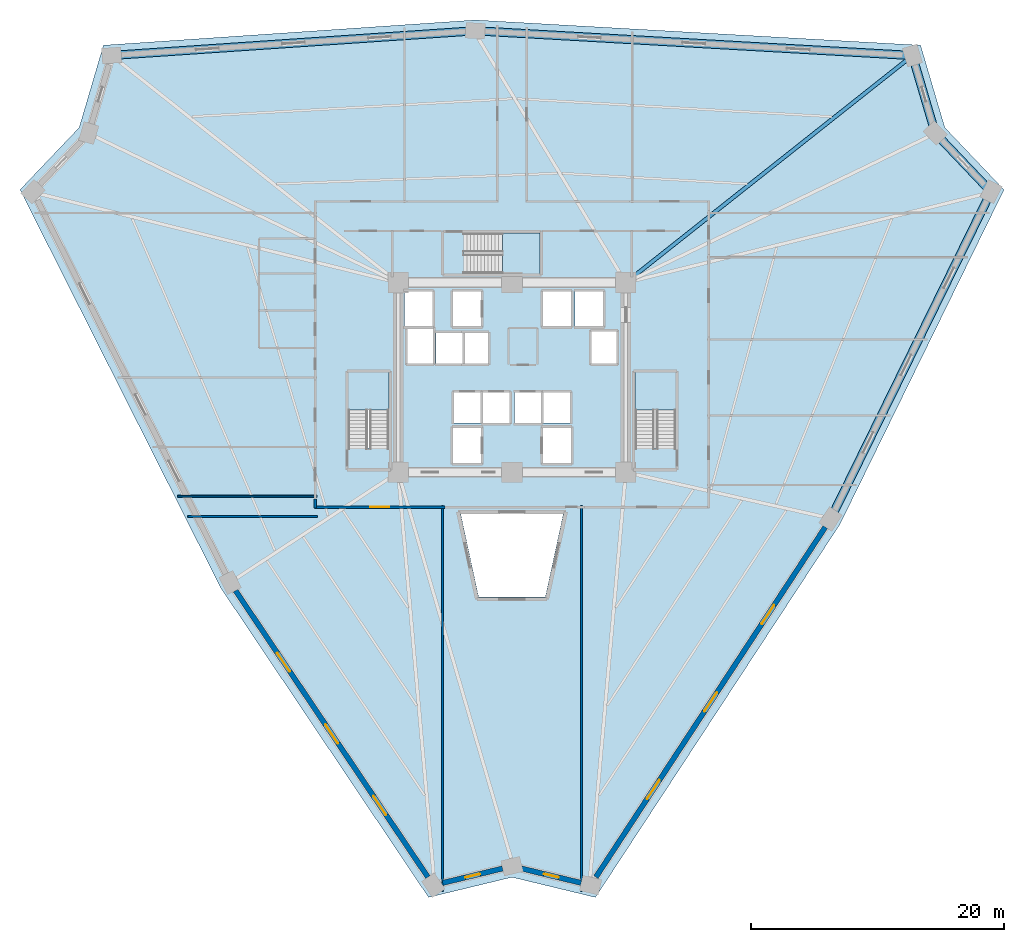
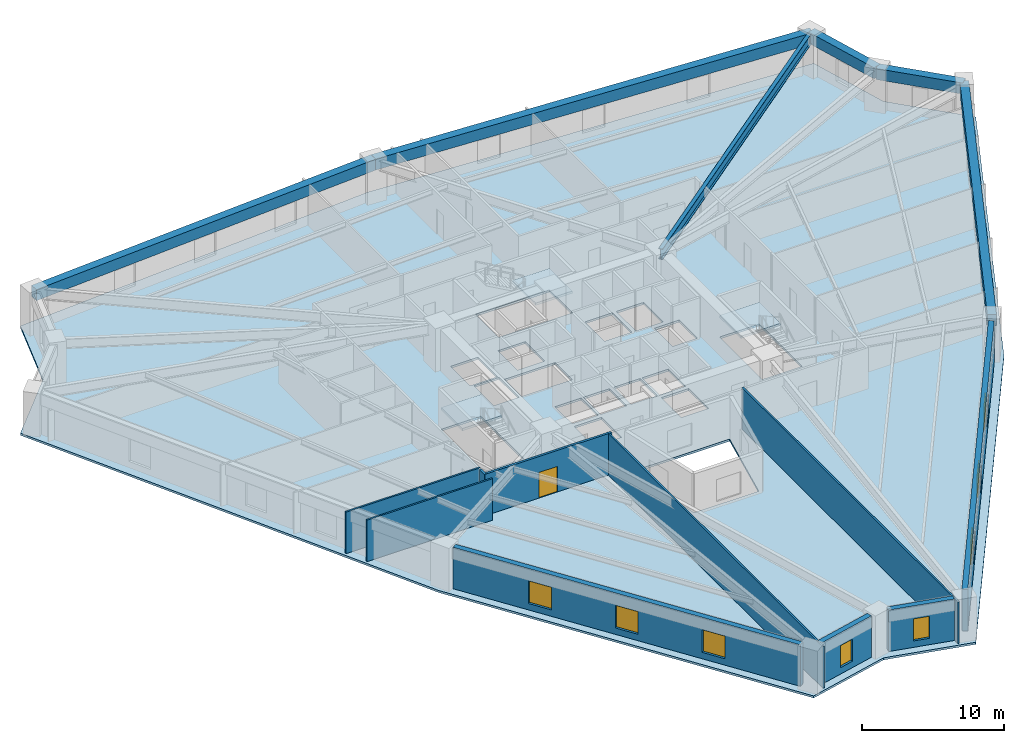
# One storey, part 2 of 8: 10 walls, 8 windows, 6 beams, 4 slabs, 1 door, 9 openings, 3 elements without a shape of their own.
"""IFC4 building model written with IfcOpenShell, lengths in metres."""

from ifc_helpers import new_model, si_unit, direction, frame, frame_2d, origin, origin_2d, place, context, subcontext, project, spatial, polyline, rectangle, i_section, outline, extrude, source, transform, mapped, material, layer, layer_set, material_profile, profile_set, type_object, element, fill, aggregate, save


model = new_model("IFC4")

# Units and contexts
model_context = context("Model", 3, precision=1e-05, world=origin(), true_north=direction((0.0, 1.0)))
body_context = subcontext(model_context, "Body", "Model", "MODEL_VIEW")
ifc_project = project(units=[si_unit("LENGTHUNIT", "METRE"), si_unit("AREAUNIT", "SQUARE_METRE"), si_unit("VOLUMEUNIT", "CUBIC_METRE"), si_unit("PLANEANGLEUNIT", "RADIAN"), si_unit("MASSUNIT", "GRAM", prefix="KILO")], contexts=[model_context])

# Site, building, storey
site_placement = place(None, origin())
site = spatial("IfcSite", under=ifc_project, at=site_placement, CompositionType="ELEMENT")
building_placement = place(site_placement, origin())
building = spatial("IfcBuilding", under=site, at=building_placement, Name="Liaohun Quay Tower", CompositionType="ELEMENT")
storey_placement = place(building_placement, frame((0.0, 0.0, 81.75)))
storey = spatial("IfcBuildingStorey", under=building, at=storey_placement, Name="L21", CompositionType="ELEMENT", Elevation=81.75)

# Beams
ifc_material_1 = material(Name="Precast concrete C55", Category="concrete")
ifc_material_profile_1 = material_profile(ifc_material_1, rectangle(XDim=0.64990234375, YDim=0.949951171875, at=origin_2d()), Name="RC650x950")
ifc_profile_set_1 = profile_set([ifc_material_profile_1], Name="Precast concrete C55")
beam_type_1 = type_object("IfcBeamType", Name="BM-SPD-Z1", PredefinedType="SPANDREL", material=ifc_profile_set_1)
shared_shape_1 = source(origin(), body_context, "Body", "SweptSolid", [
    extrude(rectangle(XDim=0.64990234375, YDim=0.949951171875, at=origin_2d()), origin(), (0.0, 0.0, 1.0), 28.8271484375),
])
beam_1_placement = place(storey_placement, frame((28.3359375, 79.467041015625, 3.094970703125), z_axis=(0.99770728934, 0.067676914809, 0.0), x_axis=(-0.067676914809, 0.99770728934, 0.0)))
element("IfcBeam", 1, at=beam_1_placement, inside=storey, type_object=beam_type_1, Name="L21 Precast Spandrel Beam PC05-PC06", PredefinedType="SPANDREL", context=body_context, shape_type="MappedRepresentation", body=[
    mapped(shared_shape_1, transform((0.0, 0.0, 0.0), x_axis=(1.0, 0.0, 0.0), y_axis=(0.0, 1.0, 0.0), z_axis=(0.0, 0.0, 1.0), scale=1.0)),
])
shared_shape_2 = source(origin(), body_context, "Body", "SweptSolid", [
    extrude(rectangle(XDim=0.64990234375, YDim=0.949951171875, at=origin_2d()), origin(), (0.0, 0.0, 1.0), 34.62451171875),
])
beam_2_placement = place(storey_placement, frame((57.096923828125, 81.41796875, 3.094970703125), z_axis=(0.998399780783, -0.056549781008, 0.0), x_axis=(0.056549781008, 0.998399780783, 0.0)))
element("IfcBeam", 2, at=beam_2_placement, inside=storey, type_object=beam_type_1, Name="L21 Precast Spandrel Beam PC06-PC07", PredefinedType="SPANDREL", context=body_context, shape_type="MappedRepresentation", body=[
    mapped(shared_shape_2, transform((0.0, 0.0, 0.0), x_axis=(1.0, 0.0, 0.0), y_axis=(0.0, 1.0, 0.0), z_axis=(0.0, 0.0, 1.0), scale=1.0)),
])
shared_shape_3 = source(origin(), body_context, "Body", "SweptSolid", [
    extrude(rectangle(XDim=0.64990234375, YDim=0.949951171875, at=origin_2d()), origin(), (0.0, 0.0, 1.0), 6.39501953125),
])
beam_3_placement = place(storey_placement, frame((91.666015625, 79.4599609375, 3.094970703125), z_axis=(0.282738807051, -0.959196938583, 0.0), x_axis=(0.959196938583, 0.282738807051, 0.0)))
element("IfcBeam", 3, at=beam_3_placement, inside=storey, type_object=beam_type_1, Name="L21 Precast Spandrel Beam PC07-PC08", PredefinedType="SPANDREL", context=body_context, shape_type="MappedRepresentation", body=[
    mapped(shared_shape_3, transform((0.0, 0.0, 0.0), x_axis=(1.0, 0.0, 0.0), y_axis=(0.0, 1.0, 0.0), z_axis=(0.0, 0.0, 1.0), scale=1.0)),
])
shared_shape_4 = source(origin(), body_context, "Body", "SweptSolid", [
    extrude(rectangle(XDim=0.64990234375, YDim=0.949951171875, at=origin_2d()), origin(), (0.0, 0.0, 1.0), 6.40185546875),
])
beam_4_placement = place(storey_placement, frame((93.47412109375, 73.325927734375, 3.094970703125), z_axis=(0.689307516097, -0.724468873211, 0.0), x_axis=(0.724468873211, 0.689307516097, 0.0)))
element("IfcBeam", 4, at=beam_4_placement, inside=storey, type_object=beam_type_1, Name="L21 Precast Spandrel Beam PC08-PC09", PredefinedType="SPANDREL", context=body_context, shape_type="MappedRepresentation", body=[
    mapped(shared_shape_4, transform((0.0, 0.0, 0.0), x_axis=(1.0, 0.0, 0.0), y_axis=(0.0, 1.0, 0.0), z_axis=(0.0, 0.0, 1.0), scale=1.0)),
])
shared_shape_5 = source(origin(), body_context, "Body", "SweptSolid", [
    extrude(rectangle(XDim=0.64990234375, YDim=0.949951171875, at=origin_2d()), origin(), (0.0, 0.0, 1.0), 28.826171875),
])
beam_5_placement = place(storey_placement, frame((97.886962890625, 68.68798828125, 3.094970703125), z_axis=(-0.440258571868, -0.897871031884, 0.0), x_axis=(0.897871031884, -0.440258571868, 0.0)))
element("IfcBeam", 5, at=beam_5_placement, inside=storey, type_object=beam_type_1, Name="L21 Precast Spandrel Beam PC09-PC10", PredefinedType="SPANDREL", context=body_context, shape_type="MappedRepresentation", body=[
    mapped(shared_shape_5, transform((0.0, 0.0, 0.0), x_axis=(1.0, 0.0, 0.0), y_axis=(0.0, 1.0, 0.0), z_axis=(0.0, 0.0, 1.0), scale=1.0)),
])
ifc_material_2 = material(Name="Steel Q420D", Category="steel")
ifc_material_profile_2 = material_profile(ifc_material_2, i_section(OverallWidth=0.300048828125, OverallDepth=0.89990234375, WebThickness=0.01611328125, FlangeThickness=0.028076171875, at=origin_2d()), Name="HN900x300x16x28")
ifc_profile_set_2 = profile_set([ifc_material_profile_2], Name="Steel Q420D")
beam_type_2 = type_object("IfcBeamType", Name="BM-RAD-H1", PredefinedType="BEAM", material=ifc_profile_set_2)
shared_shape_6 = source(origin(), body_context, "Body", "SweptSolid", [
    extrude(i_section(OverallWidth=0.300048828125, OverallDepth=0.89990234375, WebThickness=0.01611328125, FlangeThickness=0.028076171875, at=origin_2d()), origin(), (0.0, 0.0, 1.0), 28.531005859375),
])
beam_6_placement = place(storey_placement, frame((69.0, 61.5, 3.1201171875), z_axis=(0.783884255344, 0.620906977109, 0.0), x_axis=(-0.620906977109, 0.783884255344, 0.0)))
element("IfcBeam", 6, at=beam_6_placement, inside=storey, type_object=beam_type_2, Name="L21 Radial Primary Girder CC4-PC07", PredefinedType="BEAM", context=body_context, shape_type="MappedRepresentation", body=[
    mapped(shared_shape_6, transform((0.0, 0.0, 0.0), x_axis=(1.0, 0.0, 0.0), y_axis=(0.0, 1.0, 0.0), z_axis=(0.0, 0.0, 1.0), scale=1.0)),
])

# Stair, slab
ifc_material_3 = material(Name="Concrete C45", Category="concrete")
stair_type = type_object("IfcStairType", Name="STR-CORE-OFF", PredefinedType="HALF_TURN_STAIR", material=ifc_material_3)
stair_1_placement = place(storey_placement, origin())
stair_1 = element("IfcStair", 7, at=stair_1_placement, inside=storey, type_object=stair_type, Name="L21 Smokeproof Core Exit Stair ST-1", PredefinedType="HALF_TURN_STAIR")
ifc_layer_1 = layer(ifc_material_3, 0.199951171875, Name="Concrete C45", Category="concrete")
ifc_layer_set_1 = layer_set([ifc_layer_1], Name="Concrete C45")
slab_type_1 = type_object("IfcSlabType", Name="SLB-LND-200", PredefinedType="LANDING", material=ifc_layer_set_1)
slab_1_placement = place(storey_placement, frame((0.0, 0.0, 1.675048828125)))
slab_1 = element("IfcSlab", 8, at=slab_1_placement, type_object=slab_type_1, Name="ST-1 landing 1", PredefinedType="LANDING", context=body_context, shape_type="SweptSolid", body=[
    extrude(outline(polyline([(50.280029296875, 51.429931640625), (50.280029296875, 54.419921875), (47.0400390625, 54.419921875), (47.0400390625, 51.429931640625), (50.280029296875, 51.429931640625)])), origin(), (0.0, 0.0, 1.0), 0.199951171875),
])
aggregate(stair_1, [slab_1])

stair_2_placement = place(storey_placement, origin())
stair_2 = element("IfcStair", 9, at=stair_2_placement, inside=storey, type_object=stair_type, Name="L21 Smokeproof Core Exit Stair ST-2", PredefinedType="HALF_TURN_STAIR")
slab_2_placement = place(storey_placement, frame((0.0, 0.0, 1.675048828125)))
slab_2 = element("IfcSlab", 10, at=slab_2_placement, type_object=slab_type_1, Name="ST-2 landing 1", PredefinedType="LANDING", context=body_context, shape_type="SweptSolid", body=[
    extrude(outline(polyline([(72.9599609375, 51.429931640625), (72.9599609375, 54.419921875), (69.719970703125, 54.419921875), (69.719970703125, 51.429931640625), (72.9599609375, 51.429931640625)])), origin(), (0.0, 0.0, 1.0), 0.199951171875),
])
aggregate(stair_2, [slab_2])

stair_3_placement = place(storey_placement, origin())
stair_3 = element("IfcStair", 11, at=stair_3_placement, inside=storey, type_object=stair_type, Name="L21 Smokeproof Core Exit Stair ST-3", PredefinedType="HALF_TURN_STAIR")
slab_3_placement = place(storey_placement, frame((0.0, 0.0, 1.675048828125)))
slab_3 = element("IfcSlab", 12, at=slab_3_placement, type_object=slab_type_1, Name="ST-3 landing 1", PredefinedType="LANDING", context=body_context, shape_type="SweptSolid", body=[
    extrude(outline(polyline([(59.22998046875, 62.199951171875), (62.219970703125, 62.199951171875), (62.219970703125, 65.43994140625), (59.22998046875, 65.43994140625), (59.22998046875, 62.199951171875)])), origin(), (0.0, 0.0, 1.0), 0.199951171875),
])
aggregate(stair_3, [slab_3])

# Slab
ifc_layer_2 = layer(ifc_material_3, 0.179931640625, Name="Concrete C45", Category="concrete")
ifc_layer_set_2 = layer_set([ifc_layer_2], Name="Concrete C45")
slab_type_2 = type_object("IfcSlabType", Name="SLB-OFF-180", PredefinedType="FLOOR", material=ifc_layer_set_2)
slab_4_placement = place(storey_placement, frame((0.0, 0.0, -0.179931640625)))
element("IfcSlab", 13, at=slab_4_placement, inside=storey, type_object=slab_type_2, Name="L21 Structural Floor Slab", PredefinedType="FLOOR", context=body_context, shape_type="SweptSolid", body=[
    extrude(outline(polyline([(53.40087890625, 12.87890625), (60.0, 14.472900390625), (66.59912109375, 12.87890625), (85.93603515625, 42.384033203125), (98.910888671875, 68.844970703125), (94.23095703125, 73.762939453125), (92.31201171875, 80.27490234375), (57.092041015625, 82.27001953125), (27.68798828125, 80.27490234375), (25.76904296875, 73.762939453125), (21.089111328125, 68.844970703125), (36.971923828125, 37.346923828125), (53.40087890625, 12.87890625)]), holes=[polyline([(57.56005859375, 47.2099609375), (57.56005859375, 50.030029296875), (55.340087890625, 50.030029296875), (55.340087890625, 47.2099609375), (57.56005859375, 47.2099609375)]), polyline([(50.280029296875, 54.419921875), (47.0400390625, 54.419921875), (47.0400390625, 48.409912109375), (50.280029296875, 48.409912109375), (50.280029296875, 54.419921875)]), polyline([(57.510009765625, 50.389892578125), (57.510009765625, 52.81005859375), (55.389892578125, 52.81005859375), (55.389892578125, 50.389892578125), (57.510009765625, 50.389892578125)]), polyline([(59.81005859375, 50.389892578125), (59.81005859375, 52.81005859375), (57.68994140625, 52.81005859375), (57.68994140625, 50.389892578125), (59.81005859375, 50.389892578125)]), polyline([(58.110107421875, 57.510009765625), (53.989990234375, 57.510009765625), (53.989990234375, 55.090087890625), (58.110107421875, 55.090087890625), (58.110107421875, 57.510009765625)]), polyline([(53.760009765625, 55.090087890625), (53.760009765625, 57.909912109375), (51.7099609375, 57.909912109375), (51.7099609375, 55.090087890625), (53.760009765625, 55.090087890625)]), polyline([(51.489990234375, 58.0400390625), (53.7099609375, 58.0400390625), (53.7099609375, 60.7900390625), (51.489990234375, 60.7900390625), (51.489990234375, 58.0400390625)]), polyline([(55.340087890625, 58.0400390625), (57.56005859375, 58.0400390625), (57.56005859375, 60.7900390625), (55.340087890625, 60.7900390625), (55.340087890625, 58.0400390625)]), polyline([(62.636962890625, 36.631103515625), (64.056884765625, 43.199951171875), (55.943115234375, 43.199951171875), (57.363037109375, 36.631103515625), (62.636962890625, 36.631103515625)]), polyline([(64.659912109375, 47.2099609375), (64.659912109375, 50.030029296875), (62.43994140625, 50.030029296875), (62.43994140625, 47.2099609375), (64.659912109375, 47.2099609375)]), polyline([(72.9599609375, 54.419921875), (69.719970703125, 54.419921875), (69.719970703125, 48.409912109375), (72.9599609375, 48.409912109375), (72.9599609375, 54.419921875)]), polyline([(62.31005859375, 50.389892578125), (62.31005859375, 52.81005859375), (60.18994140625, 52.81005859375), (60.18994140625, 50.389892578125), (62.31005859375, 50.389892578125)]), polyline([(64.610107421875, 50.389892578125), (64.610107421875, 52.81005859375), (62.489990234375, 52.81005859375), (62.489990234375, 50.389892578125), (64.610107421875, 50.389892578125)]), polyline([(68.2900390625, 55.090087890625), (68.2900390625, 57.659912109375), (66.2900390625, 57.659912109375), (66.2900390625, 55.090087890625), (68.2900390625, 55.090087890625)]), polyline([(64.659912109375, 58.0400390625), (64.659912109375, 60.7900390625), (62.43994140625, 60.7900390625), (62.43994140625, 58.0400390625), (64.659912109375, 58.0400390625)]), polyline([(64.989990234375, 58.0400390625), (67.2099609375, 58.0400390625), (67.2099609375, 60.7900390625), (64.989990234375, 60.7900390625), (64.989990234375, 58.0400390625)]), polyline([(56.2099609375, 62.199951171875), (62.219970703125, 62.199951171875), (62.219970703125, 65.43994140625), (56.2099609375, 65.43994140625), (56.2099609375, 62.199951171875)])]), origin(), (0.0, 0.0, 1.0), 0.179931640625),
])

# Wall, opening, window
ifc_material_4 = material(Name="Precast concrete C50 insulated sandwich", Category="concrete")
ifc_layer_3 = layer(ifc_material_4, 0.419921875, Name="Precast concrete C50 insulated sandwich", Category="concrete")
ifc_layer_set_3 = layer_set([ifc_layer_3], Name="Precast concrete C50 insulated sandwich")
wall_type_1 = type_object("IfcWallType", Name="WAL-EXT-Z12", PredefinedType="SOLIDWALL", material=ifc_layer_set_3)
wall_1_placement = place(storey_placement, frame((60.743896484375, 15.1669921875, 0.0), z_axis=(0.0, 0.0, 1.0), x_axis=(0.972088524974, -0.234614363613, 0.0)))
wall_1 = element("IfcWall", 14, at=wall_1_placement, inside=storey, type_object=wall_type_1, Name="L21 Brutalist Precast Pier Wall 01", PredefinedType="SOLIDWALL", context=body_context, shape_type="SweptSolid", body=[
    extrude(rectangle(XDim=4.86376953125, YDim=0.419921875, at=frame_2d((2.431884765625, 0.0))), origin(), (0.0, 0.0, 1.0), 3.570068359375),
])
shared_shape_7 = source(origin(), body_context, "Body", "SweptSolid", [
    extrude(rectangle(XDim=1.199951171875, YDim=1.89990234375, at=frame_2d((0.60009765625, 0.949951171875))), frame((0.0, 0.219970703125, 0.0), z_axis=(0.0, -1.0, 0.0), x_axis=(1.0, 0.0, 0.0)), (0.0, 0.0, 1.0), 0.43994140625),
])
opening_1_placement = place(wall_1_placement, frame((1.83203125, 0.0, 0.550048828125)))
opening_1 = element("IfcOpeningElement", 15, at=opening_1_placement, cuts=wall_1, Name="Opening W05", PredefinedType="OPENING", context=body_context, shape_type="MappedRepresentation", body=[
    mapped(shared_shape_7, transform((0.0, 0.0, 0.0), x_axis=(1.0, 0.0, 0.0), y_axis=(0.0, 1.0, 0.0), z_axis=(0.0, 0.0, 1.0), scale=1.0)),
])
ifc_material_5 = material(Name="Triple Low-E corner notch glazing", Category="glass")
window_type_1 = type_object("IfcWindowType", Name="WIN-NOTCH", PartitioningType="SINGLE_PANEL", PredefinedType="WINDOW", material=ifc_material_5)
shared_shape_8 = source(origin(), body_context, "Body", "SweptSolid", [
    extrude(rectangle(XDim=1.199951171875, YDim=1.89990234375, at=frame_2d((0.60009765625, 0.949951171875))), frame((0.0, 0.030029296875, 0.0), z_axis=(0.0, -1.0, 0.0), x_axis=(1.0, 0.0, 0.0)), (0.0, 0.0, 1.0), 0.06005859375),
])
window_1_placement = place(opening_1_placement, origin())
window_1 = element("IfcWindow", 16, at=window_1_placement, inside=storey, type_object=window_type_1, Name="L21 Corner Notch Window W05-01", OverallHeight=1.89990234375, OverallWidth=1.199951171875, PartitioningType="SINGLE_PANEL", PredefinedType="WINDOW", context=body_context, shape_type="MappedRepresentation", body=[
    mapped(shared_shape_8, transform((0.0, 0.0, 0.0), x_axis=(1.0, 0.0, 0.0), y_axis=(0.0, 1.0, 0.0), z_axis=(0.0, 0.0, 1.0), scale=1.0)),
])
fill(opening_1, window_1)

# Wall, openings, windows
wall_2_placement = place(storey_placement, frame((66.635009765625, 14.486083984375, 0.0), z_axis=(0.0, 0.0, 1.0), x_axis=(0.548173435932, 0.836364683699, 0.0)))
wall_2 = element("IfcWall", 17, at=wall_2_placement, inside=storey, type_object=wall_type_1, Name="L21 Brutalist Precast Pier Wall 02", PredefinedType="SOLIDWALL", context=body_context, shape_type="SweptSolid", body=[
    extrude(rectangle(XDim=33.095458984375, YDim=0.419921875, at=frame_2d((16.5478515625, 0.0))), origin(), (0.0, 0.0, 1.0), 3.570068359375),
])
shared_shape_9 = source(origin(), body_context, "Body", "SweptSolid", [
    extrude(rectangle(XDim=1.800048828125, YDim=1.949951171875, at=frame_2d((0.89990234375, 0.97509765625))), frame((0.0, 0.219970703125, 0.0), z_axis=(0.0, -1.0, 0.0), x_axis=(1.0, 0.0, 0.0)), (0.0, 0.0, 1.0), 0.43994140625),
])
opening_2_placement = place(wall_2_placement, frame((7.3740234375, 0.0, 0.550048828125)))
opening_2 = element("IfcOpeningElement", 18, at=opening_2_placement, cuts=wall_2, Name="Opening W01", PredefinedType="OPENING", context=body_context, shape_type="MappedRepresentation", body=[
    mapped(shared_shape_9, transform((0.0, 0.0, 0.0), x_axis=(1.0, 0.0, 0.0), y_axis=(0.0, 1.0, 0.0), z_axis=(0.0, 0.0, 1.0), scale=1.0)),
])
opening_3_placement = place(wall_2_placement, frame((15.64794921875, 0.0, 0.550048828125)))
opening_3 = element("IfcOpeningElement", 19, at=opening_3_placement, cuts=wall_2, Name="Opening W01", PredefinedType="OPENING", context=body_context, shape_type="MappedRepresentation", body=[
    mapped(shared_shape_9, transform((0.0, 0.0, 0.0), x_axis=(1.0, 0.0, 0.0), y_axis=(0.0, 1.0, 0.0), z_axis=(0.0, 0.0, 1.0), scale=1.0)),
])
opening_4_placement = place(wall_2_placement, frame((23.922119140625, 0.0, 0.550048828125)))
opening_4 = element("IfcOpeningElement", 20, at=opening_4_placement, cuts=wall_2, Name="Opening W01", PredefinedType="OPENING", context=body_context, shape_type="MappedRepresentation", body=[
    mapped(shared_shape_9, transform((0.0, 0.0, 0.0), x_axis=(1.0, 0.0, 0.0), y_axis=(0.0, 1.0, 0.0), z_axis=(0.0, 0.0, 1.0), scale=1.0)),
])
ifc_material_6 = material(Name="Triple Low-E argon glazing in thermally broken aluminium", Category="aluminium")
window_type_2 = type_object("IfcWindowType", Name="WIN-PUN-Z1", PartitioningType="DOUBLE_PANEL_VERTICAL", PredefinedType="WINDOW", material=ifc_material_6)
shared_shape_10 = source(origin(), body_context, "Body", "SweptSolid", [
    extrude(rectangle(XDim=1.800048828125, YDim=1.949951171875, at=frame_2d((0.89990234375, 0.97509765625))), frame((0.0, 0.030029296875, 0.0), z_axis=(0.0, -1.0, 0.0), x_axis=(1.0, 0.0, 0.0)), (0.0, 0.0, 1.0), 0.06005859375),
])
window_2_placement = place(opening_2_placement, origin())
window_2 = element("IfcWindow", 21, at=window_2_placement, inside=storey, type_object=window_type_2, Name="L21 Recessed Cold-Climate Punched Window 02-1", OverallHeight=1.949951171875, OverallWidth=1.800048828125, PartitioningType="DOUBLE_PANEL_VERTICAL", PredefinedType="WINDOW", context=body_context, shape_type="MappedRepresentation", body=[
    mapped(shared_shape_10, transform((0.0, 0.0, 0.0), x_axis=(1.0, 0.0, 0.0), y_axis=(0.0, 1.0, 0.0), z_axis=(0.0, 0.0, 1.0), scale=1.0)),
])
fill(opening_2, window_2)
window_3_placement = place(opening_3_placement, origin())
window_3 = element("IfcWindow", 22, at=window_3_placement, inside=storey, type_object=window_type_2, Name="L21 Recessed Cold-Climate Punched Window 02-2", OverallHeight=1.949951171875, OverallWidth=1.800048828125, PartitioningType="DOUBLE_PANEL_VERTICAL", PredefinedType="WINDOW", context=body_context, shape_type="MappedRepresentation", body=[
    mapped(shared_shape_10, transform((0.0, 0.0, 0.0), x_axis=(1.0, 0.0, 0.0), y_axis=(0.0, 1.0, 0.0), z_axis=(0.0, 0.0, 1.0), scale=1.0)),
])
fill(opening_3, window_3)
window_4_placement = place(opening_4_placement, origin())
window_4 = element("IfcWindow", 23, at=window_4_placement, inside=storey, type_object=window_type_2, Name="L21 Recessed Cold-Climate Punched Window 02-3", OverallHeight=1.949951171875, OverallWidth=1.800048828125, PartitioningType="DOUBLE_PANEL_VERTICAL", PredefinedType="WINDOW", context=body_context, shape_type="MappedRepresentation", body=[
    mapped(shared_shape_10, transform((0.0, 0.0, 0.0), x_axis=(1.0, 0.0, 0.0), y_axis=(0.0, 1.0, 0.0), z_axis=(0.0, 0.0, 1.0), scale=1.0)),
])
fill(opening_4, window_4)

wall_3_placement = place(storey_placement, frame((38.133056640625, 37.14208984375, 0.0), z_axis=(0.0, 0.0, 1.0), x_axis=(0.557468884112, -0.830197833801, 0.0)))
wall_3 = element("IfcWall", 24, at=wall_3_placement, inside=storey, type_object=wall_type_1, Name="L21 Brutalist Precast Pier Wall 11", PredefinedType="SOLIDWALL", context=body_context, shape_type="SweptSolid", body=[
    extrude(rectangle(XDim=27.29833984375, YDim=0.419921875, at=frame_2d((13.649169921875, 0.0))), origin(), (0.0, 0.0, 1.0), 3.570068359375),
])
opening_5_placement = place(wall_3_placement, frame((5.925048828125, 0.0, 0.550048828125)))
opening_5 = element("IfcOpeningElement", 25, at=opening_5_placement, cuts=wall_3, Name="Opening W01", PredefinedType="OPENING", context=body_context, shape_type="MappedRepresentation", body=[
    mapped(shared_shape_9, transform((0.0, 0.0, 0.0), x_axis=(1.0, 0.0, 0.0), y_axis=(0.0, 1.0, 0.0), z_axis=(0.0, 0.0, 1.0), scale=1.0)),
])
opening_6_placement = place(wall_3_placement, frame((12.7490234375, 0.0, 0.550048828125)))
opening_6 = element("IfcOpeningElement", 26, at=opening_6_placement, cuts=wall_3, Name="Opening W01", PredefinedType="OPENING", context=body_context, shape_type="MappedRepresentation", body=[
    mapped(shared_shape_9, transform((0.0, 0.0, 0.0), x_axis=(1.0, 0.0, 0.0), y_axis=(0.0, 1.0, 0.0), z_axis=(0.0, 0.0, 1.0), scale=1.0)),
])
opening_7_placement = place(wall_3_placement, frame((19.573974609375, 0.0, 0.550048828125)))
opening_7 = element("IfcOpeningElement", 27, at=opening_7_placement, cuts=wall_3, Name="Opening W01", PredefinedType="OPENING", context=body_context, shape_type="MappedRepresentation", body=[
    mapped(shared_shape_9, transform((0.0, 0.0, 0.0), x_axis=(1.0, 0.0, 0.0), y_axis=(0.0, 1.0, 0.0), z_axis=(0.0, 0.0, 1.0), scale=1.0)),
])
window_5_placement = place(opening_5_placement, origin())
window_5 = element("IfcWindow", 28, at=window_5_placement, inside=storey, type_object=window_type_2, Name="L21 Recessed Cold-Climate Punched Window 11-1", OverallHeight=1.949951171875, OverallWidth=1.800048828125, PartitioningType="DOUBLE_PANEL_VERTICAL", PredefinedType="WINDOW", context=body_context, shape_type="MappedRepresentation", body=[
    mapped(shared_shape_10, transform((0.0, 0.0, 0.0), x_axis=(1.0, 0.0, 0.0), y_axis=(0.0, 1.0, 0.0), z_axis=(0.0, 0.0, 1.0), scale=1.0)),
])
fill(opening_5, window_5)
window_6_placement = place(opening_6_placement, origin())
window_6 = element("IfcWindow", 29, at=window_6_placement, inside=storey, type_object=window_type_2, Name="L21 Recessed Cold-Climate Punched Window 11-2", OverallHeight=1.949951171875, OverallWidth=1.800048828125, PartitioningType="DOUBLE_PANEL_VERTICAL", PredefinedType="WINDOW", context=body_context, shape_type="MappedRepresentation", body=[
    mapped(shared_shape_10, transform((0.0, 0.0, 0.0), x_axis=(1.0, 0.0, 0.0), y_axis=(0.0, 1.0, 0.0), z_axis=(0.0, 0.0, 1.0), scale=1.0)),
])
fill(opening_6, window_6)
window_7_placement = place(opening_7_placement, origin())
window_7 = element("IfcWindow", 30, at=window_7_placement, inside=storey, type_object=window_type_2, Name="L21 Recessed Cold-Climate Punched Window 11-3", OverallHeight=1.949951171875, OverallWidth=1.800048828125, PartitioningType="DOUBLE_PANEL_VERTICAL", PredefinedType="WINDOW", context=body_context, shape_type="MappedRepresentation", body=[
    mapped(shared_shape_10, transform((0.0, 0.0, 0.0), x_axis=(1.0, 0.0, 0.0), y_axis=(0.0, 1.0, 0.0), z_axis=(0.0, 0.0, 1.0), scale=1.0)),
])
fill(opening_7, window_7)

# Wall, opening, window
wall_4_placement = place(storey_placement, frame((54.52099609375, 14.02392578125, 0.0), z_axis=(0.0, 0.0, 1.0), x_axis=(0.972077083714, 0.234661763648, 0.0)))
wall_4 = element("IfcWall", 31, at=wall_4_placement, inside=storey, type_object=wall_type_1, Name="L21 Brutalist Precast Pier Wall 12", PredefinedType="SOLIDWALL", context=body_context, shape_type="SweptSolid", body=[
    extrude(rectangle(XDim=4.87109375, YDim=0.419921875, at=frame_2d((2.435546875, 0.0))), origin(), (0.0, 0.0, 1.0), 3.570068359375),
])
opening_8_placement = place(wall_4_placement, frame((1.8359375, 0.0, 0.550048828125)))
opening_8 = element("IfcOpeningElement", 32, at=opening_8_placement, cuts=wall_4, Name="Opening W05", PredefinedType="OPENING", context=body_context, shape_type="MappedRepresentation", body=[
    mapped(shared_shape_7, transform((0.0, 0.0, 0.0), x_axis=(1.0, 0.0, 0.0), y_axis=(0.0, 1.0, 0.0), z_axis=(0.0, 0.0, 1.0), scale=1.0)),
])
window_8_placement = place(opening_8_placement, origin())
window_8 = element("IfcWindow", 33, at=window_8_placement, inside=storey, type_object=window_type_1, Name="L21 Corner Notch Window W05-12", OverallHeight=1.89990234375, OverallWidth=1.199951171875, PartitioningType="SINGLE_PANEL", PredefinedType="WINDOW", context=body_context, shape_type="MappedRepresentation", body=[
    mapped(shared_shape_8, transform((0.0, 0.0, 0.0), x_axis=(1.0, 0.0, 0.0), y_axis=(0.0, 1.0, 0.0), z_axis=(0.0, 0.0, 1.0), scale=1.0)),
])
fill(opening_8, window_8)

# Wall, opening, door
ifc_material_7 = material(Name="Autoclaved aerated concrete blockwork", Category="masonry")
ifc_layer_4 = layer(ifc_material_7, 0.179931640625, Name="Autoclaved aerated concrete blockwork", Category="masonry")
ifc_layer_set_4 = layer_set([ifc_layer_4], Name="Autoclaved aerated concrete blockwork")
wall_type_2 = type_object("IfcWallType", Name="WAL-PRT-COR", PredefinedType="PARTITIONING", material=ifc_layer_set_4)
wall_5_placement = place(storey_placement, frame((54.715087890625, 43.739990234375, 0.0), z_axis=(0.0, 0.0, 1.0), x_axis=(-1.0, 0.0, 0.0)))
wall_5 = element("IfcWall", 34, at=wall_5_placement, inside=storey, type_object=wall_type_2, Name="L21 Interior Partition Wall 019", PredefinedType="PARTITIONING", context=body_context, shape_type="SweptSolid", body=[
    extrude(rectangle(XDim=10.344970703125, YDim=0.179931640625, at=frame_2d((5.17236328125, 0.0))), origin(), (0.0, 0.0, 1.0), 3.570068359375),
])
shared_shape_11 = source(origin(), body_context, "Body", "SweptSolid", [
    extrude(rectangle(XDim=1.5, YDim=2.199951171875, at=frame_2d((0.75, 1.10009765625))), frame((0.0, 0.099853515625, 0.0), z_axis=(0.0, -1.0, 0.0), x_axis=(1.0, 0.0, 0.0)), (0.0, 0.0, 1.0), 0.199951171875),
])
opening_9_placement = place(wall_5_placement, frame((4.423095703125, 0.0, 0.0)))
opening_9 = element("IfcOpeningElement", 35, at=opening_9_placement, cuts=wall_5, Name="Opening OD2", PredefinedType="OPENING", context=body_context, shape_type="MappedRepresentation", body=[
    mapped(shared_shape_11, transform((0.0, 0.0, 0.0), x_axis=(1.0, 0.0, 0.0), y_axis=(0.0, 1.0, 0.0), z_axis=(0.0, 0.0, 1.0), scale=1.0)),
])
ifc_material_8 = material(Name="Acoustic oak veneer double door")
door_type = type_object("IfcDoorType", Name="DOR-OFF-1500", OperationType="DOUBLE_DOOR_SINGLE_SWING", PredefinedType="DOOR", material=ifc_material_8)
shared_shape_12 = source(origin(), body_context, "Body", "SweptSolid", [
    extrude(rectangle(XDim=1.5, YDim=2.199951171875, at=frame_2d((0.75, 1.10009765625))), frame((0.0, 0.02490234375, 0.0), z_axis=(0.0, -1.0, 0.0), x_axis=(1.0, 0.0, 0.0)), (0.0, 0.0, 1.0), 0.050048828125),
])
door_placement = place(opening_9_placement, origin())
door = element("IfcDoor", 36, at=door_placement, inside=storey, type_object=door_type, Name="L21 Executive Partner Office 11 Door", OperationType="DOUBLE_DOOR_SINGLE_SWING", OverallHeight=2.199951171875, OverallWidth=1.5, PredefinedType="DOOR", context=body_context, shape_type="MappedRepresentation", body=[
    mapped(shared_shape_12, transform((0.0, 0.0, 0.0), x_axis=(1.0, 0.0, 0.0), y_axis=(0.0, 1.0, 0.0), z_axis=(0.0, 0.0, 1.0), scale=1.0)),
])
fill(opening_9, door)

# Walls
wall_6_placement = place(storey_placement, frame((44.43994140625, 43.669921875, 0.0), z_axis=(0.0, 0.0, 1.0), x_axis=(0.0, 1.0, 0.0)))
element("IfcWall", 37, at=wall_6_placement, inside=storey, type_object=wall_type_2, Name="L21 Interior Partition Wall 038", PredefinedType="PARTITIONING", context=body_context, shape_type="SweptSolid", body=[
    extrude(rectangle(XDim=0.715087890625, YDim=0.179931640625, at=frame_2d((0.357421875, 0.0))), origin(), (0.0, 0.0, 1.0), 3.570068359375),
])
ifc_material_9 = material(Name="Gypsum board on twin steel studs", Category="steel")
ifc_layer_5 = layer(ifc_material_9, 0.139892578125, Name="Gypsum board on twin steel studs", Category="steel")
ifc_layer_set_5 = layer_set([ifc_layer_5], Name="Gypsum board on twin steel studs")
wall_type_3 = type_object("IfcWallType", Name="WAL-PRT-OFF", PredefinedType="PARTITIONING", material=ifc_layer_set_5)
wall_7_placement = place(storey_placement, frame((44.60009765625, 43.0, 0.0), z_axis=(0.0, 0.0, 1.0), x_axis=(-1.0, 0.0, 0.0)))
element("IfcWall", 38, at=wall_7_placement, inside=storey, type_object=wall_type_3, Name="L21 Interior Partition Wall 040", PredefinedType="PARTITIONING", context=body_context, shape_type="SweptSolid", body=[
    extrude(rectangle(XDim=10.232177734375, YDim=0.139892578125, at=frame_2d((5.1162109375, 0.0))), origin(), (0.0, 0.0, 1.0), 3.570068359375),
])
wall_8_placement = place(storey_placement, frame((44.5400390625, 44.60009765625, 0.0), z_axis=(0.0, 0.0, 1.0), x_axis=(-1.0, 0.0, 0.0)))
element("IfcWall", 39, at=wall_8_placement, inside=storey, type_object=wall_type_3, Name="L21 Interior Partition Wall 041", PredefinedType="PARTITIONING", context=body_context, shape_type="SweptSolid", body=[
    extrude(rectangle(XDim=10.97900390625, YDim=0.139892578125, at=frame_2d((5.489501953125, 0.0))), origin(), (0.0, 0.0, 1.0), 3.570068359375),
])
for number, where, z_axis, x_axis, name in (
    (40, (54.5, 43.840087890625, 0.0), (0.0, 0.0, 1.0), (0.0, -1.0, 0.0), "L21 Interior Partition Wall 052"),
    (41, (65.5, 43.840087890625, 0.0), (0.0, 0.0, 1.0), (0.0, -1.0, 0.0), "L21 Interior Partition Wall 053"),
):
    element("IfcWall", number, at=place(storey_placement, frame(where, z_axis=z_axis, x_axis=x_axis)), inside=storey, type_object=wall_type_3, Name=name, PredefinedType="PARTITIONING", context=body_context, shape_type="SweptSolid", body=[
        extrude(rectangle(XDim=30.468994140625, YDim=0.139892578125, at=frame_2d((15.234375, 0.0))), origin(), (0.0, 0.0, 1.0), 3.570068359375),
    ])

save(model, "model.ifc")
